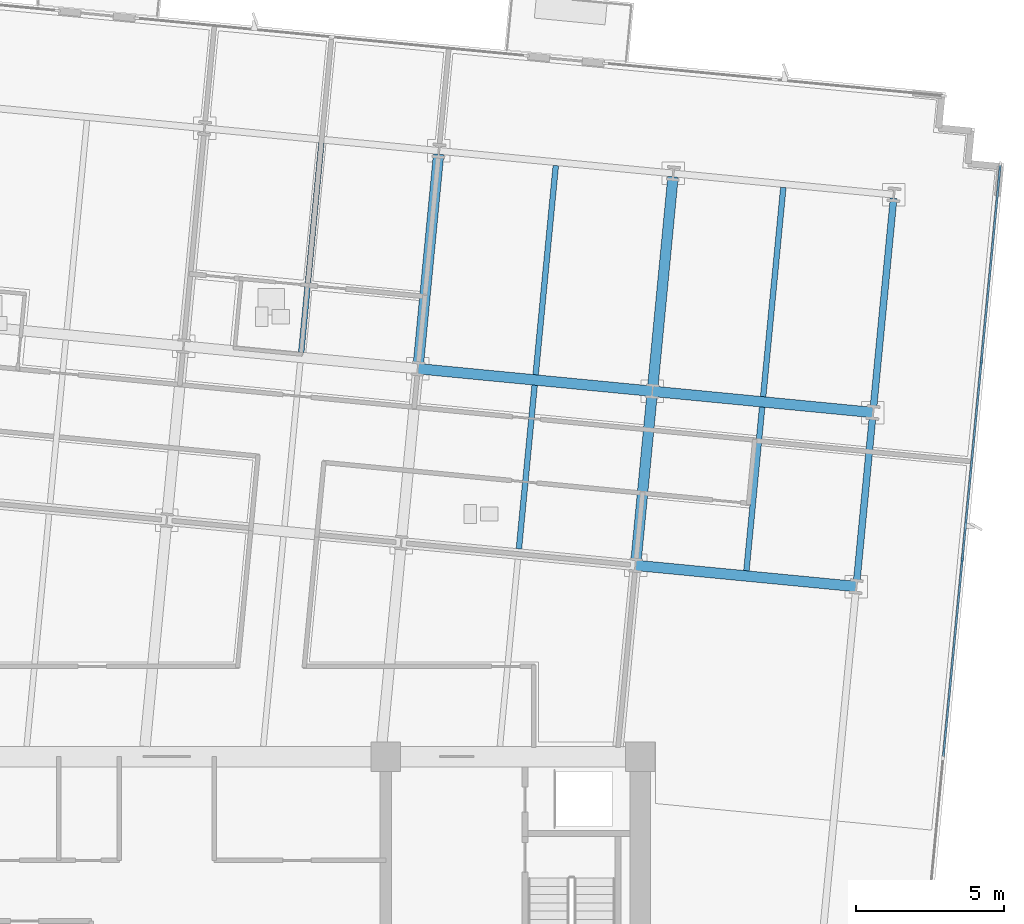
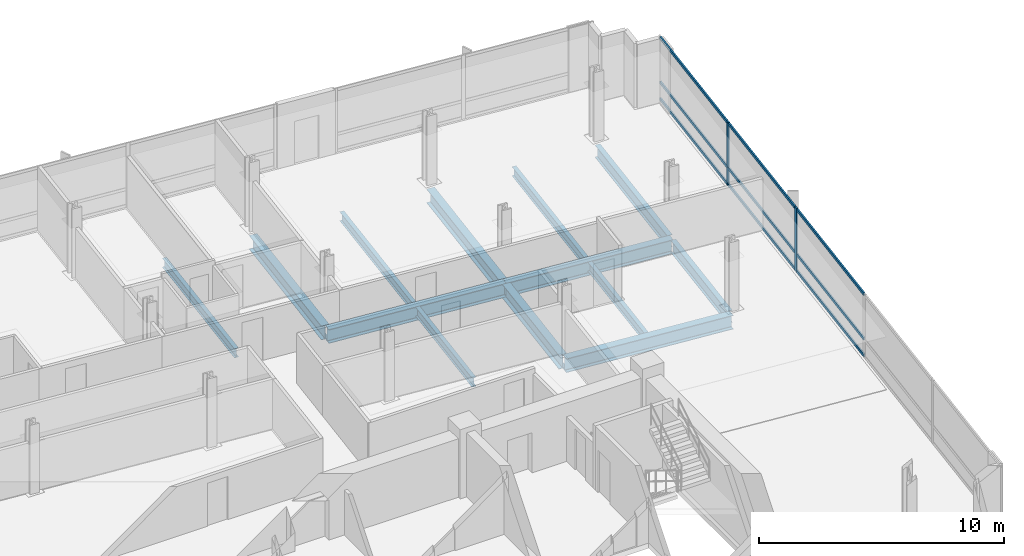
# One storey, part 6 of 17: 13 beams, 11 members, 1 element without a shape of its own.
"""IFC4 building model written with IfcOpenShell, lengths in metres."""

from ifc_helpers import new_model, si_unit, direction, frame, origin, origin_2d, place, context, subcontext, project, spatial, rectangle, i_section, extrude, material, material_profile, profile_set, type_object, element, aggregate, save


model = new_model("IFC4")

# Units and contexts
model_context = context("Model", 3, precision=1e-05, world=origin(), true_north=direction((0.0, 1.0)))
body_context = subcontext(model_context, "Body", "Model", "MODEL_VIEW")
ifc_project = project(units=[si_unit("LENGTHUNIT", "METRE"), si_unit("AREAUNIT", "SQUARE_METRE"), si_unit("VOLUMEUNIT", "CUBIC_METRE"), si_unit("PLANEANGLEUNIT", "RADIAN"), si_unit("MASSUNIT", "GRAM", prefix="KILO")], contexts=[model_context])

# Site, building, storey
site_placement = place(None, origin())
site = spatial("IfcSite", under=ifc_project, at=site_placement, CompositionType="ELEMENT")
building_placement = place(site_placement, origin())
building = spatial("IfcBuilding", under=site, at=building_placement, Name="Solmavex Isthmus Hotel", CompositionType="ELEMENT")
storey_placement = place(building_placement, frame((0.0, 0.0, 149.699951171875)))
storey = spatial("IfcBuildingStorey", under=building, at=storey_placement, Name="L40", CompositionType="ELEMENT", Elevation=149.699951171875)

# Beams
ifc_material_1 = material(Name="Steel ASTM A992 Grade 50", Category="steel")
ifc_material_profile_1 = material_profile(ifc_material_1, i_section(OverallWidth=0.354736328125, OverallDepth=0.695556640625, WebThickness=0.015380859375, FlangeThickness=0.02490234375, FilletRadius=0.017822265625, at=origin_2d()), Name="W27X146")
ifc_profile_set_1 = profile_set([ifc_material_profile_1], Name="Steel ASTM A992 Grade 50")
beam_type_1 = type_object("IfcBeamType", Name="BM-BG-W27X146", PredefinedType="BEAM", material=ifc_profile_set_1)
beam_1_placement = place(storey_placement, frame((15.840087890625, 3.96533203125, -0.607666015625), z_axis=(0.995394980007, -0.095858404835, 0.0), x_axis=(0.095858404835, 0.995394980007, 0.0)))
element("IfcBeam", 1, at=beam_1_placement, inside=storey, type_object=beam_type_1, Name="Floor Girder L40-UG08", PredefinedType="BEAM", context=body_context, shape_type="SweptSolid", body=[
    extrude(i_section(OverallWidth=0.354736328125, OverallDepth=0.695556640625, WebThickness=0.015380859375, FlangeThickness=0.02490234375, FilletRadius=0.017822265625, at=origin_2d()), origin(), (0.0, 0.0, 1.0), 7.48779296875),
])
beam_2_placement = place(storey_placement, frame((8.48681640625, 10.608642578125, -0.607666015625), z_axis=(0.995394512348, -0.095863260885, 0.0), x_axis=(0.095863260885, 0.995394512348, 0.0)))
element("IfcBeam", 2, at=beam_2_placement, inside=storey, type_object=beam_type_1, Name="Floor Girder L40-UG13", PredefinedType="BEAM", context=body_context, shape_type="SweptSolid", body=[
    extrude(i_section(OverallWidth=0.354736328125, OverallDepth=0.695556640625, WebThickness=0.015380859375, FlangeThickness=0.02490234375, FilletRadius=0.017822265625, at=origin_2d()), origin(), (0.0, 0.0, 1.0), 7.9560546875),
])
beam_3_placement = place(storey_placement, frame((16.40625, 9.845947265625, -0.607666015625), z_axis=(0.995398389938, -0.095822989454, 0.0), x_axis=(0.095822989454, 0.995398389938, 0.0)))
element("IfcBeam", 3, at=beam_3_placement, inside=storey, type_object=beam_type_1, Name="Floor Girder L40-UG14", PredefinedType="BEAM", context=body_context, shape_type="SweptSolid", body=[
    extrude(i_section(OverallWidth=0.354736328125, OverallDepth=0.695556640625, WebThickness=0.015380859375, FlangeThickness=0.02490234375, FilletRadius=0.017822265625, at=origin_2d()), origin(), (0.0, 0.0, 1.0), 7.488037109375),
])
beam_4_placement = place(storey_placement, frame((8.50390625, 10.78515625, -0.607666015625), z_axis=(0.095842805175, 0.99539648216, 0.0), x_axis=(-0.99539648216, 0.095842805175, 0.0)))
element("IfcBeam", 4, at=beam_4_placement, inside=storey, type_object=beam_type_1, Name="Floor Beam L40-VG35", PredefinedType="BEAM", context=body_context, shape_type="SweptSolid", body=[
    extrude(i_section(OverallWidth=0.354736328125, OverallDepth=0.695556640625, WebThickness=0.015380859375, FlangeThickness=0.02490234375, FilletRadius=0.017822265625, at=origin_2d()), origin(), (0.0, 0.0, 1.0), 7.099365234375),
])
beam_5_placement = place(storey_placement, frame((15.85693359375, 4.141845703125, -0.607666015625), z_axis=(0.095842252862, 0.99539653534, 0.0), x_axis=(-0.99539653534, 0.095842252862, 0.0)))
element("IfcBeam", 5, at=beam_5_placement, inside=storey, type_object=beam_type_1, Name="Floor Beam L40-VG37", PredefinedType="BEAM", context=body_context, shape_type="SweptSolid", body=[
    extrude(i_section(OverallWidth=0.354736328125, OverallDepth=0.695556640625, WebThickness=0.015380859375, FlangeThickness=0.02490234375, FilletRadius=0.017822265625, at=origin_2d()), origin(), (0.0, 0.0, 1.0), 5.55322265625),
])
beam_6_placement = place(storey_placement, frame((16.42333984375, 10.022705078125, -0.607666015625), z_axis=(0.095842805175, 0.99539648216, 0.0), x_axis=(-0.99539648216, 0.095842805175, 0.0)))
element("IfcBeam", 6, at=beam_6_placement, inside=storey, type_object=beam_type_1, Name="Floor Beam L40-VG38", PredefinedType="BEAM", context=body_context, shape_type="SweptSolid", body=[
    extrude(i_section(OverallWidth=0.354736328125, OverallDepth=0.695556640625, WebThickness=0.015380859375, FlangeThickness=0.02490234375, FilletRadius=0.017822265625, at=origin_2d()), origin(), (0.0, 0.0, 1.0), 7.099365234375),
])
ifc_material_profile_2 = material_profile(ifc_material_1, i_section(OverallWidth=0.1904296875, OverallDepth=0.456787109375, WebThickness=0.009033203125, FlangeThickness=0.014404296875, FilletRadius=0.0126953125, at=origin_2d()), Name="W18X50")
ifc_profile_set_2 = profile_set([ifc_material_profile_2], Name="Steel ASTM A992 Grade 50")
beam_type_2 = type_object("IfcBeamType", Name="BM-BJ-W18X50", PredefinedType="JOIST", material=ifc_profile_set_2)
beam_7_placement = place(storey_placement, frame((4.544189453125, 11.16650390625, -0.48828125), z_axis=(0.095842805175, 0.99539648216, 0.0), x_axis=(-0.99539648216, 0.095842805175, 0.0)))
element("IfcBeam", 7, at=beam_7_placement, inside=storey, type_object=beam_type_2, Name="Secondary Floor Joist L40-J12", PredefinedType="JOIST", context=body_context, shape_type="SweptSolid", body=[
    extrude(i_section(OverallWidth=0.1904296875, OverallDepth=0.456787109375, WebThickness=0.009033203125, FlangeThickness=0.014404296875, FilletRadius=0.0126953125, at=origin_2d()), origin(), (0.0, 0.0, 1.0), 7.099365234375),
])
beam_8_placement = place(storey_placement, frame((11.8974609375, 4.523193359375, -0.48828125), z_axis=(0.095842252862, 0.99539653534, 0.0), x_axis=(-0.99539653534, 0.095842252862, 0.0)))
element("IfcBeam", 8, at=beam_8_placement, inside=storey, type_object=beam_type_2, Name="Secondary Floor Joist L40-J14", PredefinedType="JOIST", context=body_context, shape_type="SweptSolid", body=[
    extrude(i_section(OverallWidth=0.1904296875, OverallDepth=0.456787109375, WebThickness=0.009033203125, FlangeThickness=0.014404296875, FilletRadius=0.0126953125, at=origin_2d()), origin(), (0.0, 0.0, 1.0), 5.55322265625),
])
beam_9_placement = place(storey_placement, frame((12.463623046875, 10.40380859375, -0.48828125), z_axis=(0.095839524498, 0.995396798038, 0.0), x_axis=(-0.995396798038, 0.095839524498, 0.0)))
element("IfcBeam", 9, at=beam_9_placement, inside=storey, type_object=beam_type_2, Name="Secondary Floor Joist L40-J15", PredefinedType="JOIST", context=body_context, shape_type="SweptSolid", body=[
    extrude(i_section(OverallWidth=0.1904296875, OverallDepth=0.456787109375, WebThickness=0.009033203125, FlangeThickness=0.014404296875, FilletRadius=0.0126953125, at=origin_2d()), origin(), (0.0, 0.0, 1.0), 7.099609375),
])
beam_10_placement = place(storey_placement, frame((19.583740234375, 3.782958984375, -0.48828125), z_axis=(0.095842252862, 0.99539653534, 0.0), x_axis=(-0.99539653534, 0.095842252862, 0.0)))
element("IfcBeam", 10, at=beam_10_placement, inside=storey, type_object=beam_type_2, Name="Secondary Floor Joist L40-J16", PredefinedType="JOIST", context=body_context, shape_type="SweptSolid", body=[
    extrude(i_section(OverallWidth=0.1904296875, OverallDepth=0.456787109375, WebThickness=0.009033203125, FlangeThickness=0.014404296875, FilletRadius=0.0126953125, at=origin_2d()), origin(), (0.0, 0.0, 1.0), 5.55322265625),
])
beam_11_placement = place(storey_placement, frame((20.150146484375, 9.663818359375, -0.48828125), z_axis=(0.095842805175, 0.99539648216, 0.0), x_axis=(-0.99539648216, 0.095842805175, 0.0)))
element("IfcBeam", 11, at=beam_11_placement, inside=storey, type_object=beam_type_2, Name="Secondary Floor Joist L40-J17", PredefinedType="JOIST", context=body_context, shape_type="SweptSolid", body=[
    extrude(i_section(OverallWidth=0.1904296875, OverallDepth=0.456787109375, WebThickness=0.009033203125, FlangeThickness=0.014404296875, FilletRadius=0.0126953125, at=origin_2d()), origin(), (0.0, 0.0, 1.0), 7.099365234375),
])
ifc_material_profile_3 = material_profile(ifc_material_1, i_section(OverallWidth=0.230224609375, OverallDepth=0.617431640625, WebThickness=0.01318359375, FlangeThickness=0.022216796875, FilletRadius=0.01513671875, at=origin_2d()), Name="W24X94")
ifc_profile_set_3 = profile_set([ifc_material_profile_3], Name="Steel ASTM A992 Grade 50")
beam_type_3 = type_object("IfcBeamType", Name="BM-SP-W24X94", PredefinedType="SPANDREL", material=ifc_profile_set_3)
beam_12_placement = place(storey_placement, frame((23.310546875, 3.424072265625, -0.568603515625), z_axis=(0.095842252862, 0.99539653534, 0.0), x_axis=(-0.99539653534, 0.095842252862, 0.0)))
element("IfcBeam", 12, at=beam_12_placement, inside=storey, type_object=beam_type_3, Name="Floor Beam L40-VG40", PredefinedType="SPANDREL", context=body_context, shape_type="SweptSolid", body=[
    extrude(i_section(OverallWidth=0.230224609375, OverallDepth=0.617431640625, WebThickness=0.01318359375, FlangeThickness=0.022216796875, FilletRadius=0.01513671875, at=origin_2d()), origin(), (0.0, 0.0, 1.0), 5.55322265625),
])
beam_13_placement = place(storey_placement, frame((23.876708984375, 9.304931640625, -0.568603515625), z_axis=(0.09587687835, 0.9953932008, 0.0), x_axis=(-0.9953932008, 0.09587687835, 0.0)))
element("IfcBeam", 13, at=beam_13_placement, inside=storey, type_object=beam_type_3, Name="Floor Beam L40-VG41", PredefinedType="SPANDREL", context=body_context, shape_type="SweptSolid", body=[
    extrude(i_section(OverallWidth=0.230224609375, OverallDepth=0.617431640625, WebThickness=0.01318359375, FlangeThickness=0.022216796875, FilletRadius=0.01513671875, at=origin_2d()), origin(), (0.0, 0.0, 1.0), 7.099365234375),
])

# Curtain wall, members
ifc_material_2 = material(Name="Aluminium alloy 6063-T6", Category="aluminium")
curtain_wall_type = type_object("IfcCurtainWallType", Name="CW-SYS-03", PredefinedType="NOTDEFINED", material=ifc_material_2)
curtain_wall_placement = place(storey_placement, origin())
curtain_wall = element("IfcCurtainWall", 14, at=curtain_wall_placement, inside=storey, type_object=curtain_wall_type, Name="Stick Curtain Wall CWL-L40-E1", PredefinedType="NOTDEFINED")
ifc_material_profile_4 = material_profile(ifc_material_2, rectangle(XDim=0.070068359375, YDim=0.179931640625, at=origin_2d()), Name="CWM-70X180")
ifc_profile_set_4 = profile_set([ifc_material_profile_4], Name="Aluminium alloy 6063-T6")
member_type_1 = type_object("IfcMemberType", Name="CW-SYS-03-MUL", PredefinedType="MULLION", material=ifc_profile_set_4)
member_1_placement = place(storey_placement, frame((26.878173828125, 4.168212890625, 0.0), z_axis=(0.0, 0.0, 1.0), x_axis=(-0.995396190038, 0.09584583902, 0.0)))
member_1 = element("IfcMember", 15, at=member_1_placement, type_object=member_type_1, Name="CW-03 mullion 4", PredefinedType="MULLION", context=body_context, shape_type="SweptSolid", body=[
    extrude(rectangle(XDim=0.070068359375, YDim=0.179931640625, at=origin_2d()), origin(), (0.0, 0.0, 1.0), 3.18994140625),
])
member_2_placement = place(storey_placement, frame((27.5224609375, 10.857177734375, 0.0), z_axis=(0.0, 0.0, 1.0), x_axis=(-0.995396190038, 0.09584583902, 0.0)))
member_2 = element("IfcMember", 16, at=member_2_placement, type_object=member_type_1, Name="CW-03 mullion 5", PredefinedType="MULLION", context=body_context, shape_type="SweptSolid", body=[
    extrude(rectangle(XDim=0.070068359375, YDim=0.179931640625, at=origin_2d()), origin(), (0.0, 0.0, 1.0), 3.18994140625),
])
ifc_material_profile_5 = material_profile(ifc_material_2, rectangle(XDim=0.070068359375, YDim=0.139892578125, at=origin_2d()), Name="CWT-70X140")
ifc_profile_set_5 = profile_set([ifc_material_profile_5], Name="Aluminium alloy 6063-T6")
member_type_2 = type_object("IfcMemberType", Name="CW-SYS-03-TRN", PredefinedType="USERDEFINED", material=ifc_profile_set_5)
member_3_placement = place(storey_placement, frame((26.237548828125, -2.486083984375, 0.070068359375), z_axis=(0.095857212138, 0.995395094865, 0.0), x_axis=(-0.995395094865, 0.095857212138, 0.0)))
member_3 = element("IfcMember", 17, at=member_3_placement, type_object=member_type_2, Name="CW-03 transom 3.1", ObjectType="TRANSOM", PredefinedType="USERDEFINED", context=body_context, shape_type="SweptSolid", body=[
    extrude(rectangle(XDim=0.070068359375, YDim=0.139892578125, at=origin_2d()), origin(), (0.0, 0.0, 1.0), 6.64990234375),
])
member_4_placement = place(storey_placement, frame((26.237548828125, -2.486083984375, 0.900146484375), z_axis=(0.095857212138, 0.995395094865, 0.0), x_axis=(-0.995395094865, 0.095857212138, 0.0)))
member_4 = element("IfcMember", 18, at=member_4_placement, type_object=member_type_2, Name="CW-03 transom 3.2", ObjectType="TRANSOM", PredefinedType="USERDEFINED", context=body_context, shape_type="SweptSolid", body=[
    extrude(rectangle(XDim=0.070068359375, YDim=0.139892578125, at=origin_2d()), origin(), (0.0, 0.0, 1.0), 6.64990234375),
])
member_5_placement = place(storey_placement, frame((26.237548828125, -2.486083984375, 3.1201171875), z_axis=(0.095857212138, 0.995395094865, 0.0), x_axis=(-0.995395094865, 0.095857212138, 0.0)))
member_5 = element("IfcMember", 19, at=member_5_placement, type_object=member_type_2, Name="CW-03 transom 3.3", ObjectType="TRANSOM", PredefinedType="USERDEFINED", context=body_context, shape_type="SweptSolid", body=[
    extrude(rectangle(XDim=0.070068359375, YDim=0.139892578125, at=origin_2d()), origin(), (0.0, 0.0, 1.0), 6.64990234375),
])
member_6_placement = place(storey_placement, frame((26.881591796875, 4.203125, 0.070068359375), z_axis=(0.095857212138, 0.995395094865, 0.0), x_axis=(-0.995395094865, 0.095857212138, 0.0)))
member_6 = element("IfcMember", 20, at=member_6_placement, type_object=member_type_2, Name="CW-03 transom 4.1", ObjectType="TRANSOM", PredefinedType="USERDEFINED", context=body_context, shape_type="SweptSolid", body=[
    extrude(rectangle(XDim=0.070068359375, YDim=0.139892578125, at=origin_2d()), origin(), (0.0, 0.0, 1.0), 6.64990234375),
])
member_7_placement = place(storey_placement, frame((26.881591796875, 4.203125, 0.900146484375), z_axis=(0.095857212138, 0.995395094865, 0.0), x_axis=(-0.995395094865, 0.095857212138, 0.0)))
member_7 = element("IfcMember", 21, at=member_7_placement, type_object=member_type_2, Name="CW-03 transom 4.2", ObjectType="TRANSOM", PredefinedType="USERDEFINED", context=body_context, shape_type="SweptSolid", body=[
    extrude(rectangle(XDim=0.070068359375, YDim=0.139892578125, at=origin_2d()), origin(), (0.0, 0.0, 1.0), 6.64990234375),
])
member_8_placement = place(storey_placement, frame((26.881591796875, 4.203125, 3.1201171875), z_axis=(0.095857212138, 0.995395094865, 0.0), x_axis=(-0.995395094865, 0.095857212138, 0.0)))
member_8 = element("IfcMember", 22, at=member_8_placement, type_object=member_type_2, Name="CW-03 transom 4.3", ObjectType="TRANSOM", PredefinedType="USERDEFINED", context=body_context, shape_type="SweptSolid", body=[
    extrude(rectangle(XDim=0.070068359375, YDim=0.139892578125, at=origin_2d()), origin(), (0.0, 0.0, 1.0), 6.64990234375),
])
member_9_placement = place(storey_placement, frame((27.525634765625, 10.89208984375, 0.070068359375), z_axis=(0.095848837806, 0.995395901283, 0.0), x_axis=(-0.995395901283, 0.095848837806, 0.0)))
member_9 = element("IfcMember", 23, at=member_9_placement, type_object=member_type_2, Name="CW-03 transom 5.1", ObjectType="TRANSOM", PredefinedType="USERDEFINED", context=body_context, shape_type="SweptSolid", body=[
    extrude(rectangle(XDim=0.070068359375, YDim=0.139892578125, at=origin_2d()), origin(), (0.0, 0.0, 1.0), 6.614990234375),
])
member_10_placement = place(storey_placement, frame((27.525634765625, 10.89208984375, 0.900146484375), z_axis=(0.095848837806, 0.995395901283, 0.0), x_axis=(-0.995395901283, 0.095848837806, 0.0)))
member_10 = element("IfcMember", 24, at=member_10_placement, type_object=member_type_2, Name="CW-03 transom 5.2", ObjectType="TRANSOM", PredefinedType="USERDEFINED", context=body_context, shape_type="SweptSolid", body=[
    extrude(rectangle(XDim=0.070068359375, YDim=0.139892578125, at=origin_2d()), origin(), (0.0, 0.0, 1.0), 6.614990234375),
])
member_11_placement = place(storey_placement, frame((27.525634765625, 10.89208984375, 3.1201171875), z_axis=(0.095848837806, 0.995395901283, 0.0), x_axis=(-0.995395901283, 0.095848837806, 0.0)))
member_11 = element("IfcMember", 25, at=member_11_placement, type_object=member_type_2, Name="CW-03 transom 5.3", ObjectType="TRANSOM", PredefinedType="USERDEFINED", context=body_context, shape_type="SweptSolid", body=[
    extrude(rectangle(XDim=0.070068359375, YDim=0.139892578125, at=origin_2d()), origin(), (0.0, 0.0, 1.0), 6.614990234375),
])
aggregate(curtain_wall, [member_1, member_2, member_3, member_4, member_5, member_6, member_7, member_8, member_9, member_10, member_11])

save(model, "model.ifc")
